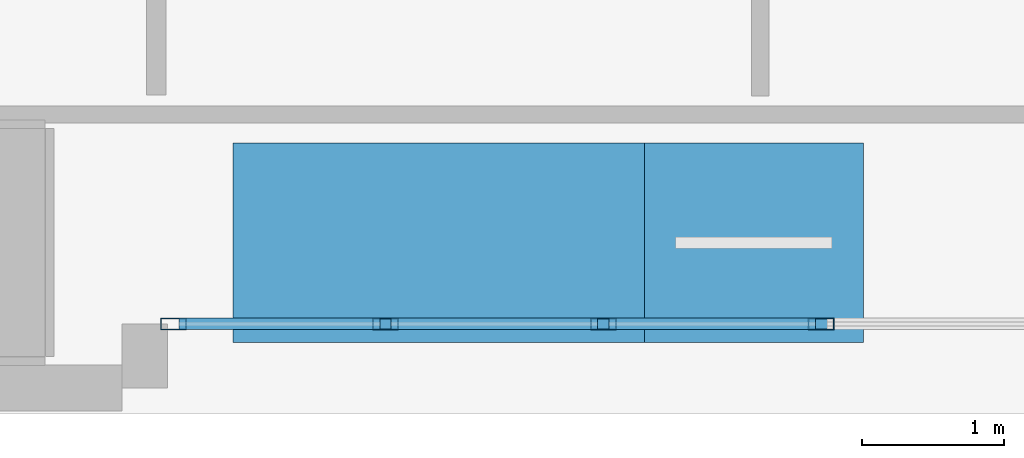
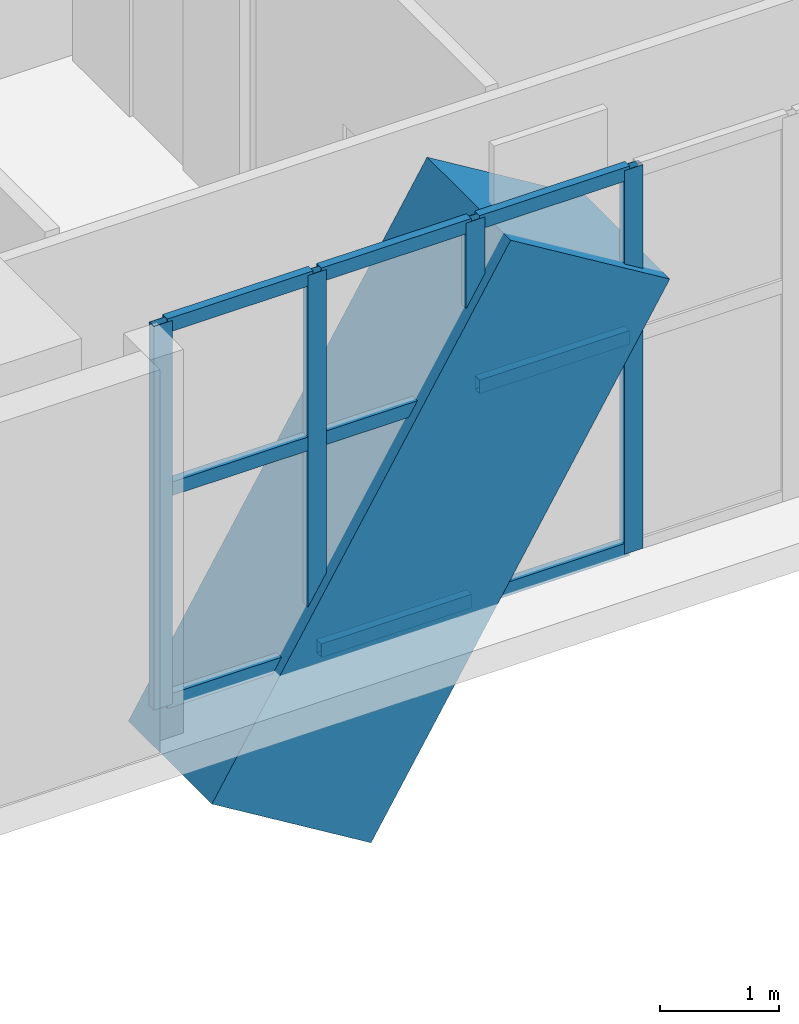
# One storey, part 2 of 20: 14 members, 1 element without a shape of its own.
"""IFC4 building model written with IfcOpenShell, lengths in metres."""

from ifc_helpers import new_model, si_unit, direction, frame, origin, origin_2d, place, context, subcontext, project, spatial, rectangle, hollow_rectangle, extrude, material, layer, layer_set, material_profile, profile_set, type_object, element, aggregate, save


model = new_model("IFC4")

# Units and contexts
model_context = context("Model", 3, precision=1e-05, world=origin(), true_north=direction((0.0, 1.0)))
body_context = subcontext(model_context, "Body", "Model", "MODEL_VIEW")
ifc_project = project(units=[si_unit("LENGTHUNIT", "METRE"), si_unit("AREAUNIT", "SQUARE_METRE"), si_unit("VOLUMEUNIT", "CUBIC_METRE"), si_unit("PLANEANGLEUNIT", "RADIAN"), si_unit("MASSUNIT", "GRAM", prefix="KILO")], contexts=[model_context])

# Site, building, storey
site_placement = place(None, origin())
site = spatial("IfcSite", under=ifc_project, at=site_placement, CompositionType="ELEMENT")
building_placement = place(site_placement, origin())
building = spatial("IfcBuilding", under=site, at=building_placement, Name="Solanera Arch Residences", CompositionType="ELEMENT")
storey_placement = place(building_placement, frame((0.0, 0.0, 9.39990234375)))
storey = spatial("IfcBuildingStorey", under=building, at=storey_placement, Name="L02", CompositionType="ELEMENT", Elevation=9.39990234375)

# Curtain wall, members
ifc_material_1 = material(Name="Anodised Aluminium Alloy 6063-T6", Category="aluminium")
ifc_layer = layer(ifc_material_1, 0.179931640625)
ifc_layer_set = layer_set([ifc_layer], Name="Anodised Aluminium Alloy 6063-T6")
curtain_wall_type = type_object("IfcCurtainWallType", Name="CW-1 Arch Portal Unitised Glazing", PredefinedType="USERDEFINED", material=ifc_layer_set)
curtain_wall_placement = place(storey_placement, origin())
curtain_wall = element("IfcCurtainWall", 1, at=curtain_wall_placement, inside=storey, type_object=curtain_wall_type, Name="L02 Arch Portal Unitised Curtain Wall", ObjectType="CURTAIN_WALL", PredefinedType="USERDEFINED")
ifc_material_2 = material(Name="Anodised Aluminium Alloy 6063-T6", Category="aluminium")
ifc_material_profile_1 = material_profile(ifc_material_2, hollow_rectangle(XDim=0.080078125, YDim=0.179931640625, WallThickness=0.00390625, at=origin_2d()))
ifc_profile_set_1 = profile_set([ifc_material_profile_1], Name="Anodised Aluminium Alloy 6063-T6")
member_type_1 = type_object("IfcMemberType", Name="Curtain Wall Mullion ALU-MUL-80X180", PredefinedType="MULLION", material=ifc_profile_set_1)
member_1_placement = place(storey_placement, frame((19.647705078125, 10.6298828125, 0.0), z_axis=(0.0, 0.0, 1.0), x_axis=(0.0, -1.0, 0.0)))
member_1 = element("IfcMember", 2, at=member_1_placement, type_object=member_type_1, Name="CW-1 mullion 11", PredefinedType="MULLION", context=body_context, shape_type="SweptSolid", body=[
    extrude(hollow_rectangle(XDim=0.080078125, YDim=0.179931640625, WallThickness=0.00390625, at=origin_2d()), origin(), (0.0, 0.0, 1.0), 3.920166015625),
])
member_2_placement = place(storey_placement, frame((18.118408203125, 10.6298828125, 0.0), z_axis=(0.0, 0.0, 1.0), x_axis=(0.0, -1.0, 0.0)))
member_2 = element("IfcMember", 3, at=member_2_placement, type_object=member_type_1, Name="CW-1 mullion 12", PredefinedType="MULLION", context=body_context, shape_type="SweptSolid", body=[
    extrude(hollow_rectangle(XDim=0.080078125, YDim=0.179931640625, WallThickness=0.00390625, at=origin_2d()), origin(), (0.0, 0.0, 1.0), 3.920166015625),
])
member_3_placement = place(storey_placement, frame((16.589111328125, 10.6298828125, 0.0), z_axis=(0.0, 0.0, 1.0), x_axis=(0.0, -1.0, 0.0)))
member_3 = element("IfcMember", 4, at=member_3_placement, type_object=member_type_1, Name="CW-1 mullion 13", PredefinedType="MULLION", context=body_context, shape_type="SweptSolid", body=[
    extrude(hollow_rectangle(XDim=0.080078125, YDim=0.179931640625, WallThickness=0.00390625, at=origin_2d()), origin(), (0.0, 0.0, 1.0), 3.920166015625),
])
member_4_placement = place(storey_placement, frame((15.10009765625, 10.6298828125, 0.0), z_axis=(0.0, 0.0, 1.0), x_axis=(0.0, -1.0, 0.0)))
member_4 = element("IfcMember", 5, at=member_4_placement, type_object=member_type_1, Name="CW-1 mullion 14", PredefinedType="MULLION", context=body_context, shape_type="SweptSolid", body=[
    extrude(hollow_rectangle(XDim=0.080078125, YDim=0.179931640625, WallThickness=0.00390625, at=origin_2d()), origin(), (0.0, 0.0, 1.0), 3.920166015625),
])
ifc_material_3 = material(Name="Anodised Aluminium Alloy 6063-T6", Category="aluminium")
ifc_material_profile_2 = material_profile(ifc_material_3, hollow_rectangle(XDim=0.080078125, YDim=0.139892578125, WallThickness=0.00390625, at=origin_2d()))
ifc_profile_set_2 = profile_set([ifc_material_profile_2], Name="Anodised Aluminium Alloy 6063-T6")
member_type_2 = type_object("IfcMemberType", Name="Curtain Wall Transom ALU-TRN-80X140", PredefinedType="USERDEFINED", material=ifc_profile_set_2)
member_5_placement = place(storey_placement, frame((19.607666015625, 10.6298828125, 0.0400390625), z_axis=(-1.0, 0.0, 0.0), x_axis=(0.0, -1.0, 0.0)))
member_5 = element("IfcMember", 6, at=member_5_placement, type_object=member_type_2, Name="CW-1 transom 11.1", ObjectType="TRANSOM", PredefinedType="USERDEFINED", context=body_context, shape_type="SweptSolid", body=[
    extrude(hollow_rectangle(XDim=0.080078125, YDim=0.139892578125, WallThickness=0.00390625, at=origin_2d()), origin(), (0.0, 0.0, 1.0), 1.44921875),
])
member_6_placement = place(storey_placement, frame((19.607666015625, 10.6298828125, 2.2001953125), z_axis=(-1.0, 0.0, 0.0), x_axis=(0.0, -1.0, 0.0)))
member_6 = element("IfcMember", 7, at=member_6_placement, type_object=member_type_2, Name="CW-1 transom 11.2", ObjectType="TRANSOM", PredefinedType="USERDEFINED", context=body_context, shape_type="SweptSolid", body=[
    extrude(hollow_rectangle(XDim=0.080078125, YDim=0.139892578125, WallThickness=0.00390625, at=origin_2d()), origin(), (0.0, 0.0, 1.0), 1.44921875),
])
member_7_placement = place(storey_placement, frame((19.607666015625, 10.6298828125, 3.880126953125), z_axis=(-1.0, 0.0, 0.0), x_axis=(0.0, -1.0, 0.0)))
member_7 = element("IfcMember", 8, at=member_7_placement, type_object=member_type_2, Name="CW-1 transom 11.3", ObjectType="TRANSOM", PredefinedType="USERDEFINED", context=body_context, shape_type="SweptSolid", body=[
    extrude(hollow_rectangle(XDim=0.080078125, YDim=0.139892578125, WallThickness=0.00390625, at=origin_2d()), origin(), (0.0, 0.0, 1.0), 1.44921875),
])
member_8_placement = place(storey_placement, frame((18.078369140625, 10.6298828125, 0.0400390625), z_axis=(-1.0, 0.0, 0.0), x_axis=(0.0, -1.0, 0.0)))
member_8 = element("IfcMember", 9, at=member_8_placement, type_object=member_type_2, Name="CW-1 transom 12.1", ObjectType="TRANSOM", PredefinedType="USERDEFINED", context=body_context, shape_type="SweptSolid", body=[
    extrude(hollow_rectangle(XDim=0.080078125, YDim=0.139892578125, WallThickness=0.00390625, at=origin_2d()), origin(), (0.0, 0.0, 1.0), 1.44921875),
])
member_9_placement = place(storey_placement, frame((18.078369140625, 10.6298828125, 2.2001953125), z_axis=(-1.0, 0.0, 0.0), x_axis=(0.0, -1.0, 0.0)))
member_9 = element("IfcMember", 10, at=member_9_placement, type_object=member_type_2, Name="CW-1 transom 12.2", ObjectType="TRANSOM", PredefinedType="USERDEFINED", context=body_context, shape_type="SweptSolid", body=[
    extrude(hollow_rectangle(XDim=0.080078125, YDim=0.139892578125, WallThickness=0.00390625, at=origin_2d()), origin(), (0.0, 0.0, 1.0), 1.44921875),
])
member_10_placement = place(storey_placement, frame((18.078369140625, 10.6298828125, 3.880126953125), z_axis=(-1.0, 0.0, 0.0), x_axis=(0.0, -1.0, 0.0)))
member_10 = element("IfcMember", 11, at=member_10_placement, type_object=member_type_2, Name="CW-1 transom 12.3", ObjectType="TRANSOM", PredefinedType="USERDEFINED", context=body_context, shape_type="SweptSolid", body=[
    extrude(hollow_rectangle(XDim=0.080078125, YDim=0.139892578125, WallThickness=0.00390625, at=origin_2d()), origin(), (0.0, 0.0, 1.0), 1.44921875),
])
member_11_placement = place(storey_placement, frame((16.54931640625, 10.6298828125, 0.0400390625), z_axis=(-1.0, 0.0, 0.0), x_axis=(0.0, -1.0, 0.0)))
member_11 = element("IfcMember", 12, at=member_11_placement, type_object=member_type_2, Name="CW-1 transom 13.1", ObjectType="TRANSOM", PredefinedType="USERDEFINED", context=body_context, shape_type="SweptSolid", body=[
    extrude(hollow_rectangle(XDim=0.080078125, YDim=0.139892578125, WallThickness=0.00390625, at=origin_2d()), origin(), (0.0, 0.0, 1.0), 1.409423828125),
])
member_12_placement = place(storey_placement, frame((16.54931640625, 10.6298828125, 2.2001953125), z_axis=(-1.0, 0.0, 0.0), x_axis=(0.0, -1.0, 0.0)))
member_12 = element("IfcMember", 13, at=member_12_placement, type_object=member_type_2, Name="CW-1 transom 13.2", ObjectType="TRANSOM", PredefinedType="USERDEFINED", context=body_context, shape_type="SweptSolid", body=[
    extrude(hollow_rectangle(XDim=0.080078125, YDim=0.139892578125, WallThickness=0.00390625, at=origin_2d()), origin(), (0.0, 0.0, 1.0), 1.409423828125),
])
member_13_placement = place(storey_placement, frame((16.54931640625, 10.6298828125, 3.880126953125), z_axis=(-1.0, 0.0, 0.0), x_axis=(0.0, -1.0, 0.0)))
member_13 = element("IfcMember", 14, at=member_13_placement, type_object=member_type_2, Name="CW-1 transom 13.3", ObjectType="TRANSOM", PredefinedType="USERDEFINED", context=body_context, shape_type="SweptSolid", body=[
    extrude(hollow_rectangle(XDim=0.080078125, YDim=0.139892578125, WallThickness=0.00390625, at=origin_2d()), origin(), (0.0, 0.0, 1.0), 1.409423828125),
])
aggregate(curtain_wall, [member_1, member_2, member_3, member_4, member_5, member_6, member_7, member_8, member_9, member_10, member_11, member_12, member_13])

# Member
ifc_material_4 = material(Name="Concrete C55/67 (f'c = 60 MPa)", Category="concrete")
ifc_material_profile_3 = material_profile(ifc_material_4, rectangle(XDim=1.39990234375, YDim=1.800048828125, at=origin_2d()))
ifc_profile_set_3 = profile_set([ifc_material_profile_3], Name="Concrete C55/67 (f'c = 60 MPa)")
member_type_3 = type_object("IfcMemberType", Name="Truss Chord RC-ARCH-1400X1800", PredefinedType="CHORD", material=ifc_profile_set_3)
member_14_placement = place(storey_placement, frame((16.2880859375, 11.199951171875, -1.5498046875), z_axis=(0.519376936438, 0.0, 0.854545257957), x_axis=(0.0, 1.0, 0.0)))
element("IfcMember", 15, at=member_14_placement, inside=storey, type_object=member_type_3, Name="Monumental Podium Concrete Arch Rib 2", PredefinedType="CHORD", context=body_context, shape_type="SweptSolid", body=[
    extrude(rectangle(XDim=1.39990234375, YDim=1.800048828125, at=origin_2d()), origin(), (0.0, 0.0, 1.0), 5.55859375),
])

save(model, "model.ifc")
